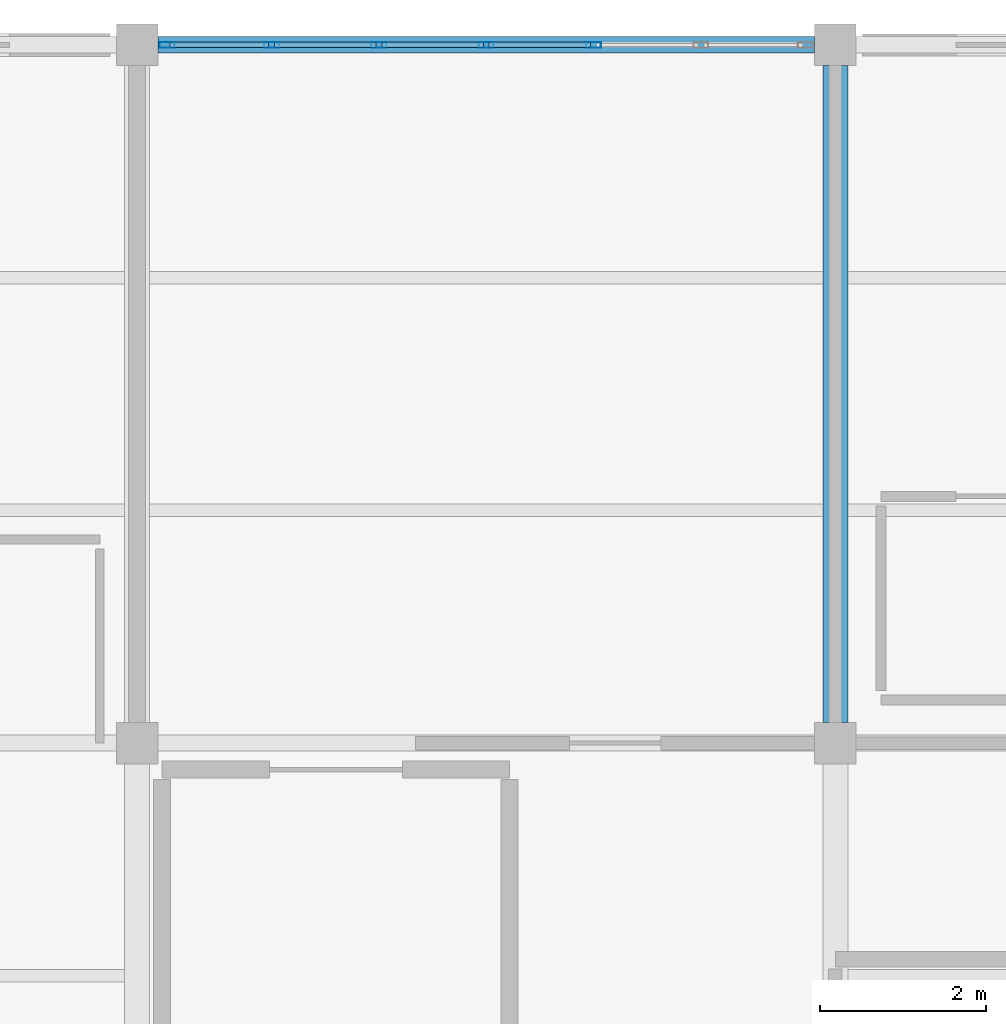
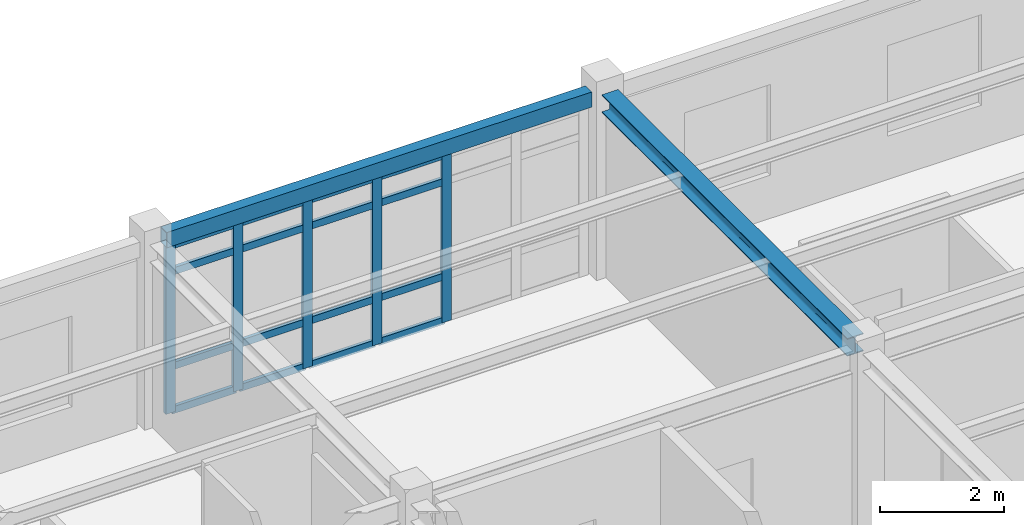
# One storey, part 14 of 86: 21 members, 2 beams, 1 element without a shape of its own.
"""IFC4 building model written with IfcOpenShell, lengths in metres."""

from ifc_helpers import new_model, si_unit, direction, frame, origin, origin_2d, place, context, subcontext, project, spatial, hollow_rectangle, i_section, extrude, material, layer, layer_set, material_profile, profile_set, type_object, element, aggregate, save


model = new_model("IFC4")

# Units and contexts
model_context = context("Model", 3, precision=1e-05, world=origin(), true_north=direction((0.0, 1.0)))
body_context = subcontext(model_context, "Body", "Model", "MODEL_VIEW")
ifc_project = project(units=[si_unit("LENGTHUNIT", "METRE"), si_unit("AREAUNIT", "SQUARE_METRE"), si_unit("VOLUMEUNIT", "CUBIC_METRE"), si_unit("PLANEANGLEUNIT", "RADIAN"), si_unit("MASSUNIT", "GRAM", prefix="KILO")], contexts=[model_context])

# Site, building, storey
site_placement = place(None, origin())
site = spatial("IfcSite", under=ifc_project, at=site_placement, CompositionType="ELEMENT")
building_placement = place(site_placement, origin())
building = spatial("IfcBuilding", under=site, at=building_placement, Name="Bramfleet General Hospital", CompositionType="ELEMENT")
storey_placement = place(building_placement, frame((0.0, 0.0, 18.60009765625)))
storey = spatial("IfcBuildingStorey", under=building, at=storey_placement, Name="L04", CompositionType="ELEMENT", Elevation=18.60009765625)

# Beams
ifc_material_1 = material(Name="Steel S355", Category="steel")
ifc_material_profile_1 = material_profile(ifc_material_1, i_section(OverallWidth=0.300048828125, OverallDepth=0.35009765625, WebThickness=0.010009765625, FlangeThickness=0.017578125, FilletRadius=0.027099609375, at=origin_2d()), Name="HEA 360")
ifc_profile_set_1 = profile_set([ifc_material_profile_1], Name="Steel S355")
beam_type_1 = type_object("IfcBeamType", Name="BM-HEA360", PredefinedType="BEAM", material=ifc_profile_set_1)
beam_1_placement = place(storey_placement, frame((58.800048828125, 109.449951171875, 3.44482421875), z_axis=(0.0, 1.0, 0.0), x_axis=(-1.0, 0.0, 0.0)))
element("IfcBeam", 1, at=beam_1_placement, inside=storey, type_object=beam_type_1, Name="L04 Grid Beam Y 07-13", PredefinedType="BEAM", context=body_context, shape_type="SweptSolid", body=[
    extrude(i_section(OverallWidth=0.300048828125, OverallDepth=0.35009765625, WebThickness=0.010009765625, FlangeThickness=0.017578125, FilletRadius=0.027099609375, at=origin_2d()), origin(), (0.0, 0.0, 1.0), 7.900146484375),
])
ifc_material_profile_2 = material_profile(ifc_material_1, hollow_rectangle(XDim=0.199951171875, YDim=0.300048828125, WallThickness=0.012451171875, at=origin_2d()), Name="RHS 300x200x12.5")
ifc_profile_set_2 = profile_set([ifc_material_profile_2], Name="Steel S355")
beam_type_2 = type_object("IfcBeamType", Name="BM-RHS300", PredefinedType="SPANDREL", material=ifc_profile_set_2)
beam_2_placement = place(storey_placement, frame((50.64990234375, 117.60009765625, 3.469970703125), z_axis=(1.0, 0.0, 0.0), x_axis=(0.0, 1.0, 0.0)))
element("IfcBeam", 2, at=beam_2_placement, inside=storey, type_object=beam_type_2, Name="L04 Grid Beam X 06-14", PredefinedType="SPANDREL", context=body_context, shape_type="SweptSolid", body=[
    extrude(hollow_rectangle(XDim=0.199951171875, YDim=0.300048828125, WallThickness=0.012451171875, at=origin_2d()), origin(), (0.0, 0.0, 1.0), 7.900146484375),
])

# Curtain wall, members
ifc_material_2 = material(Name="Anodised aluminium and low-E triple glazing", Category="aluminium")
ifc_layer = layer(ifc_material_2, 0.179931640625, Name="CWT-CW-07")
ifc_layer_set = layer_set([ifc_layer], Name="Anodised aluminium and low-E triple glazing")
curtain_wall_type = type_object("IfcCurtainWallType", Name="CWT-CW-07", PredefinedType="USERDEFINED", material=ifc_layer_set)
curtain_wall_placement = place(storey_placement, origin())
curtain_wall = element("IfcCurtainWall", 3, at=curtain_wall_placement, inside=storey, type_object=curtain_wall_type, Name="L04 Curtain Wall 187", ObjectType="Unitised curtain wall", PredefinedType="USERDEFINED")
ifc_material_3 = material(Name="Anodised aluminium EN AW-6060", Category="aluminium")
ifc_material_profile_3 = material_profile(ifc_material_3, hollow_rectangle(XDim=0.070068359375, YDim=0.179931640625, WallThickness=0.00390625, at=origin_2d()), Name="ALU 180x70x4.0")
ifc_profile_set_3 = profile_set([ifc_material_profile_3], Name="Anodised aluminium EN AW-6060")
member_type_1 = type_object("IfcMemberType", Name="CWM-ALU180", PredefinedType="MULLION", material=ifc_profile_set_3)
member_1_placement = place(storey_placement, frame((50.760009765625, 117.60009765625, 0.0), z_axis=(0.0, 0.0, 1.0), x_axis=(0.0, 1.0, 0.0)))
member_1 = element("IfcMember", 4, at=member_1_placement, type_object=member_type_1, Name="CW-07 mullion 1", PredefinedType="MULLION", context=body_context, shape_type="SweptSolid", body=[
    extrude(hollow_rectangle(XDim=0.070068359375, YDim=0.179931640625, WallThickness=0.00390625, at=origin_2d()), origin(), (0.0, 0.0, 1.0), 3.309814453125),
])
member_2_placement = place(storey_placement, frame((52.0166015625, 117.60009765625, 0.0), z_axis=(0.0, 0.0, 1.0), x_axis=(0.0, 1.0, 0.0)))
member_2 = element("IfcMember", 5, at=member_2_placement, type_object=member_type_1, Name="CW-07 mullion 2", PredefinedType="MULLION", context=body_context, shape_type="SweptSolid", body=[
    extrude(hollow_rectangle(XDim=0.070068359375, YDim=0.179931640625, WallThickness=0.00390625, at=origin_2d()), origin(), (0.0, 0.0, 1.0), 3.309814453125),
])
member_3_placement = place(storey_placement, frame((53.308349609375, 117.60009765625, 0.0), z_axis=(0.0, 0.0, 1.0), x_axis=(0.0, 1.0, 0.0)))
member_3 = element("IfcMember", 6, at=member_3_placement, type_object=member_type_1, Name="CW-07 mullion 3", PredefinedType="MULLION", context=body_context, shape_type="SweptSolid", body=[
    extrude(hollow_rectangle(XDim=0.070068359375, YDim=0.179931640625, WallThickness=0.00390625, at=origin_2d()), origin(), (0.0, 0.0, 1.0), 3.309814453125),
])
member_4_placement = place(storey_placement, frame((54.60009765625, 117.60009765625, 0.0), z_axis=(0.0, 0.0, 1.0), x_axis=(0.0, 1.0, 0.0)))
member_4 = element("IfcMember", 7, at=member_4_placement, type_object=member_type_1, Name="CW-07 mullion 4", PredefinedType="MULLION", context=body_context, shape_type="SweptSolid", body=[
    extrude(hollow_rectangle(XDim=0.070068359375, YDim=0.179931640625, WallThickness=0.00390625, at=origin_2d()), origin(), (0.0, 0.0, 1.0), 3.309814453125),
])
member_5_placement = place(storey_placement, frame((55.8916015625, 117.60009765625, 0.0), z_axis=(0.0, 0.0, 1.0), x_axis=(0.0, 1.0, 0.0)))
member_5 = element("IfcMember", 8, at=member_5_placement, type_object=member_type_1, Name="CW-07 mullion 5", PredefinedType="MULLION", context=body_context, shape_type="SweptSolid", body=[
    extrude(hollow_rectangle(XDim=0.070068359375, YDim=0.179931640625, WallThickness=0.00390625, at=origin_2d()), origin(), (0.0, 0.0, 1.0), 3.309814453125),
])
ifc_material_profile_4 = material_profile(ifc_material_3, hollow_rectangle(XDim=0.06494140625, YDim=0.139892578125, WallThickness=0.00390625, at=origin_2d()), Name="ALU 140x65x4.0")
ifc_profile_set_4 = profile_set([ifc_material_profile_4], Name="Anodised aluminium EN AW-6060")
member_type_2 = type_object("IfcMemberType", Name="CWT-ALU140", PredefinedType="USERDEFINED", material=ifc_profile_set_4)
member_6_placement = place(storey_placement, frame((50.794921875, 117.60009765625, 0.032470703125), z_axis=(1.0, 0.0, 0.0), x_axis=(0.0, 1.0, 0.0)))
member_6 = element("IfcMember", 9, at=member_6_placement, type_object=member_type_2, Name="CW-07 transom 1.1", ObjectType="TRANSOM", PredefinedType="USERDEFINED", context=body_context, shape_type="SweptSolid", body=[
    extrude(hollow_rectangle(XDim=0.06494140625, YDim=0.139892578125, WallThickness=0.00390625, at=origin_2d()), origin(), (0.0, 0.0, 1.0), 1.186767578125),
])
member_7_placement = place(storey_placement, frame((50.794921875, 117.60009765625, 0.89990234375), z_axis=(1.0, 0.0, 0.0), x_axis=(0.0, 1.0, 0.0)))
member_7 = element("IfcMember", 10, at=member_7_placement, type_object=member_type_2, Name="CW-07 transom 1.2", ObjectType="TRANSOM", PredefinedType="USERDEFINED", context=body_context, shape_type="SweptSolid", body=[
    extrude(hollow_rectangle(XDim=0.06494140625, YDim=0.139892578125, WallThickness=0.00390625, at=origin_2d()), origin(), (0.0, 0.0, 1.0), 1.186767578125),
])
member_8_placement = place(storey_placement, frame((50.794921875, 117.60009765625, 2.760009765625), z_axis=(1.0, 0.0, 0.0), x_axis=(0.0, 1.0, 0.0)))
member_8 = element("IfcMember", 11, at=member_8_placement, type_object=member_type_2, Name="CW-07 transom 1.3", ObjectType="TRANSOM", PredefinedType="USERDEFINED", context=body_context, shape_type="SweptSolid", body=[
    extrude(hollow_rectangle(XDim=0.06494140625, YDim=0.139892578125, WallThickness=0.00390625, at=origin_2d()), origin(), (0.0, 0.0, 1.0), 1.186767578125),
])
member_9_placement = place(storey_placement, frame((50.794921875, 117.60009765625, 3.27734375), z_axis=(1.0, 0.0, 0.0), x_axis=(0.0, 1.0, 0.0)))
member_9 = element("IfcMember", 12, at=member_9_placement, type_object=member_type_2, Name="CW-07 transom 1.4", ObjectType="TRANSOM", PredefinedType="USERDEFINED", context=body_context, shape_type="SweptSolid", body=[
    extrude(hollow_rectangle(XDim=0.06494140625, YDim=0.139892578125, WallThickness=0.00390625, at=origin_2d()), origin(), (0.0, 0.0, 1.0), 1.186767578125),
])
member_10_placement = place(storey_placement, frame((52.0517578125, 117.60009765625, 0.032470703125), z_axis=(1.0, 0.0, 0.0), x_axis=(0.0, 1.0, 0.0)))
member_10 = element("IfcMember", 13, at=member_10_placement, type_object=member_type_2, Name="CW-07 transom 2.1", ObjectType="TRANSOM", PredefinedType="USERDEFINED", context=body_context, shape_type="SweptSolid", body=[
    extrude(hollow_rectangle(XDim=0.06494140625, YDim=0.139892578125, WallThickness=0.00390625, at=origin_2d()), origin(), (0.0, 0.0, 1.0), 1.2216796875),
])
member_11_placement = place(storey_placement, frame((52.0517578125, 117.60009765625, 0.89990234375), z_axis=(1.0, 0.0, 0.0), x_axis=(0.0, 1.0, 0.0)))
member_11 = element("IfcMember", 14, at=member_11_placement, type_object=member_type_2, Name="CW-07 transom 2.2", ObjectType="TRANSOM", PredefinedType="USERDEFINED", context=body_context, shape_type="SweptSolid", body=[
    extrude(hollow_rectangle(XDim=0.06494140625, YDim=0.139892578125, WallThickness=0.00390625, at=origin_2d()), origin(), (0.0, 0.0, 1.0), 1.2216796875),
])
member_12_placement = place(storey_placement, frame((52.0517578125, 117.60009765625, 2.760009765625), z_axis=(1.0, 0.0, 0.0), x_axis=(0.0, 1.0, 0.0)))
member_12 = element("IfcMember", 15, at=member_12_placement, type_object=member_type_2, Name="CW-07 transom 2.3", ObjectType="TRANSOM", PredefinedType="USERDEFINED", context=body_context, shape_type="SweptSolid", body=[
    extrude(hollow_rectangle(XDim=0.06494140625, YDim=0.139892578125, WallThickness=0.00390625, at=origin_2d()), origin(), (0.0, 0.0, 1.0), 1.2216796875),
])
member_13_placement = place(storey_placement, frame((52.0517578125, 117.60009765625, 3.27734375), z_axis=(1.0, 0.0, 0.0), x_axis=(0.0, 1.0, 0.0)))
member_13 = element("IfcMember", 16, at=member_13_placement, type_object=member_type_2, Name="CW-07 transom 2.4", ObjectType="TRANSOM", PredefinedType="USERDEFINED", context=body_context, shape_type="SweptSolid", body=[
    extrude(hollow_rectangle(XDim=0.06494140625, YDim=0.139892578125, WallThickness=0.00390625, at=origin_2d()), origin(), (0.0, 0.0, 1.0), 1.2216796875),
])
member_14_placement = place(storey_placement, frame((53.34326171875, 117.60009765625, 0.032470703125), z_axis=(1.0, 0.0, 0.0), x_axis=(0.0, 1.0, 0.0)))
member_14 = element("IfcMember", 17, at=member_14_placement, type_object=member_type_2, Name="CW-07 transom 3.1", ObjectType="TRANSOM", PredefinedType="USERDEFINED", context=body_context, shape_type="SweptSolid", body=[
    extrude(hollow_rectangle(XDim=0.06494140625, YDim=0.139892578125, WallThickness=0.00390625, at=origin_2d()), origin(), (0.0, 0.0, 1.0), 1.2216796875),
])
member_15_placement = place(storey_placement, frame((53.34326171875, 117.60009765625, 0.89990234375), z_axis=(1.0, 0.0, 0.0), x_axis=(0.0, 1.0, 0.0)))
member_15 = element("IfcMember", 18, at=member_15_placement, type_object=member_type_2, Name="CW-07 transom 3.2", ObjectType="TRANSOM", PredefinedType="USERDEFINED", context=body_context, shape_type="SweptSolid", body=[
    extrude(hollow_rectangle(XDim=0.06494140625, YDim=0.139892578125, WallThickness=0.00390625, at=origin_2d()), origin(), (0.0, 0.0, 1.0), 1.2216796875),
])
member_16_placement = place(storey_placement, frame((53.34326171875, 117.60009765625, 2.760009765625), z_axis=(1.0, 0.0, 0.0), x_axis=(0.0, 1.0, 0.0)))
member_16 = element("IfcMember", 19, at=member_16_placement, type_object=member_type_2, Name="CW-07 transom 3.3", ObjectType="TRANSOM", PredefinedType="USERDEFINED", context=body_context, shape_type="SweptSolid", body=[
    extrude(hollow_rectangle(XDim=0.06494140625, YDim=0.139892578125, WallThickness=0.00390625, at=origin_2d()), origin(), (0.0, 0.0, 1.0), 1.2216796875),
])
member_17_placement = place(storey_placement, frame((53.34326171875, 117.60009765625, 3.27734375), z_axis=(1.0, 0.0, 0.0), x_axis=(0.0, 1.0, 0.0)))
member_17 = element("IfcMember", 20, at=member_17_placement, type_object=member_type_2, Name="CW-07 transom 3.4", ObjectType="TRANSOM", PredefinedType="USERDEFINED", context=body_context, shape_type="SweptSolid", body=[
    extrude(hollow_rectangle(XDim=0.06494140625, YDim=0.139892578125, WallThickness=0.00390625, at=origin_2d()), origin(), (0.0, 0.0, 1.0), 1.2216796875),
])
member_18_placement = place(storey_placement, frame((54.635009765625, 117.60009765625, 0.032470703125), z_axis=(1.0, 0.0, 0.0), x_axis=(0.0, 1.0, 0.0)))
member_18 = element("IfcMember", 21, at=member_18_placement, type_object=member_type_2, Name="CW-07 transom 4.1", ObjectType="TRANSOM", PredefinedType="USERDEFINED", context=body_context, shape_type="SweptSolid", body=[
    extrude(hollow_rectangle(XDim=0.06494140625, YDim=0.139892578125, WallThickness=0.00390625, at=origin_2d()), origin(), (0.0, 0.0, 1.0), 1.2216796875),
])
member_19_placement = place(storey_placement, frame((54.635009765625, 117.60009765625, 0.89990234375), z_axis=(1.0, 0.0, 0.0), x_axis=(0.0, 1.0, 0.0)))
member_19 = element("IfcMember", 22, at=member_19_placement, type_object=member_type_2, Name="CW-07 transom 4.2", ObjectType="TRANSOM", PredefinedType="USERDEFINED", context=body_context, shape_type="SweptSolid", body=[
    extrude(hollow_rectangle(XDim=0.06494140625, YDim=0.139892578125, WallThickness=0.00390625, at=origin_2d()), origin(), (0.0, 0.0, 1.0), 1.2216796875),
])
member_20_placement = place(storey_placement, frame((54.635009765625, 117.60009765625, 2.760009765625), z_axis=(1.0, 0.0, 0.0), x_axis=(0.0, 1.0, 0.0)))
member_20 = element("IfcMember", 23, at=member_20_placement, type_object=member_type_2, Name="CW-07 transom 4.3", ObjectType="TRANSOM", PredefinedType="USERDEFINED", context=body_context, shape_type="SweptSolid", body=[
    extrude(hollow_rectangle(XDim=0.06494140625, YDim=0.139892578125, WallThickness=0.00390625, at=origin_2d()), origin(), (0.0, 0.0, 1.0), 1.2216796875),
])
member_21_placement = place(storey_placement, frame((54.635009765625, 117.60009765625, 3.27734375), z_axis=(1.0, 0.0, 0.0), x_axis=(0.0, 1.0, 0.0)))
member_21 = element("IfcMember", 24, at=member_21_placement, type_object=member_type_2, Name="CW-07 transom 4.4", ObjectType="TRANSOM", PredefinedType="USERDEFINED", context=body_context, shape_type="SweptSolid", body=[
    extrude(hollow_rectangle(XDim=0.06494140625, YDim=0.139892578125, WallThickness=0.00390625, at=origin_2d()), origin(), (0.0, 0.0, 1.0), 1.2216796875),
])
aggregate(curtain_wall, [member_1, member_2, member_3, member_4, member_5, member_6, member_7, member_8, member_9, member_10, member_11, member_12, member_13, member_14, member_15, member_16, member_17, member_18, member_19, member_20, member_21])

save(model, "model.ifc")
